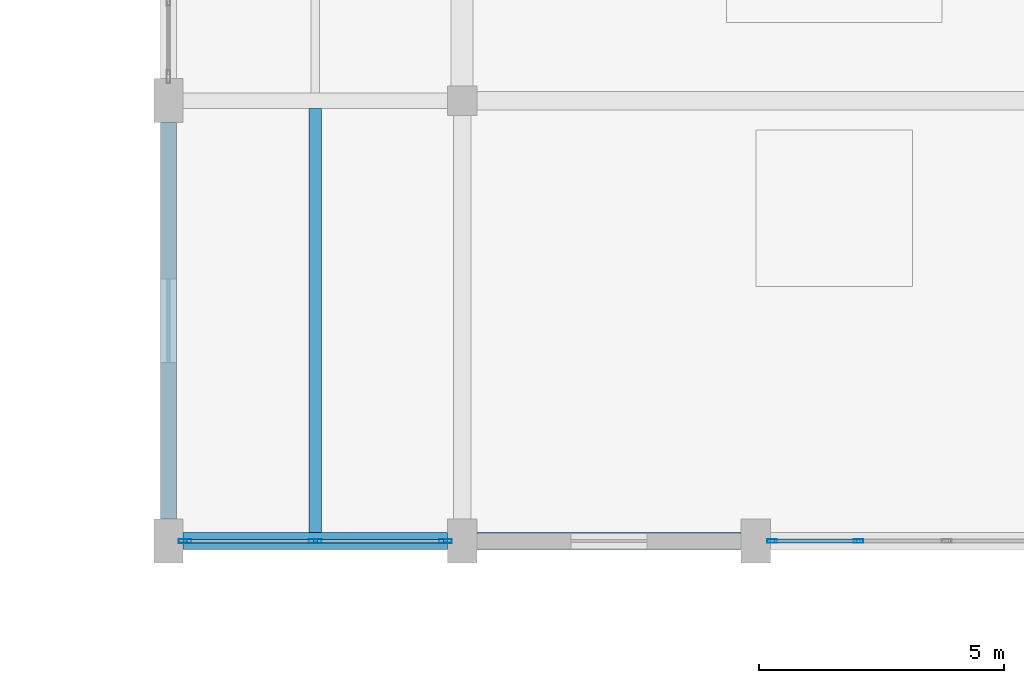
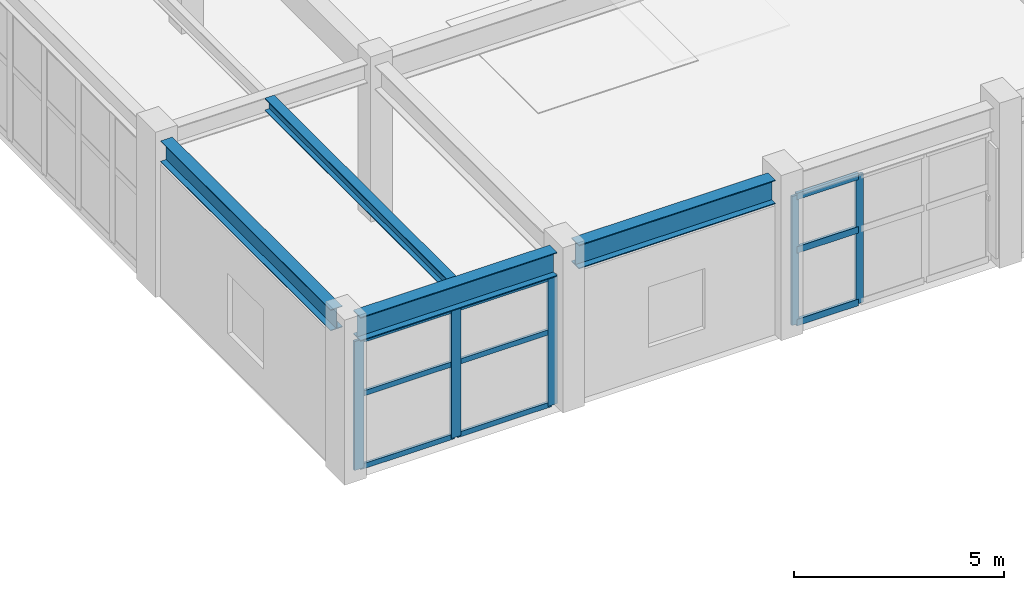
# One storey, part 7 of 85: 14 members, 4 beams, 2 elements without a shape of their own.
"""IFC4 building model written with IfcOpenShell, lengths in metres."""

from ifc_helpers import new_model, si_unit, direction, frame, origin, origin_2d, place, context, subcontext, project, spatial, hollow_rectangle, i_section, extrude, material, layer, layer_set, material_profile, profile_set, type_object, element, aggregate, save


model = new_model("IFC4")

# Units and contexts
model_context = context("Model", 3, precision=1e-05, world=origin(), true_north=direction((0.0, 1.0)))
body_context = subcontext(model_context, "Body", "Model", "MODEL_VIEW")
ifc_project = project(units=[si_unit("LENGTHUNIT", "METRE"), si_unit("AREAUNIT", "SQUARE_METRE"), si_unit("VOLUMEUNIT", "CUBIC_METRE"), si_unit("PLANEANGLEUNIT", "RADIAN"), si_unit("MASSUNIT", "GRAM", prefix="KILO")], contexts=[model_context])

# Site, building, storey
site_placement = place(None, origin())
site = spatial("IfcSite", under=ifc_project, at=site_placement, CompositionType="ELEMENT")
building_placement = place(site_placement, origin())
building = spatial("IfcBuilding", under=site, at=building_placement, Name="Vaelkrest Opera House", CompositionType="ELEMENT")
storey_placement = place(building_placement, frame((0.0, 0.0, 10.199951171875)))
storey = spatial("IfcBuildingStorey", under=building, at=storey_placement, Name="L02", CompositionType="ELEMENT", Elevation=10.199951171875)

# Curtain wall, members
ifc_material_1 = material(Name="Dark bronze anodized aluminium", Category="aluminium")
ifc_layer_1 = layer(ifc_material_1, 0.22998046875)
ifc_layer_set_1 = layer_set([ifc_layer_1], Name="Dark bronze anodized aluminium")
curtain_wall_type_1 = type_object("IfcCurtainWallType", Name="CW06", PredefinedType="NOTDEFINED", material=ifc_layer_set_1)
curtain_wall_1_placement = place(storey_placement, origin())
curtain_wall_1 = element("IfcCurtainWall", 1, at=curtain_wall_1_placement, inside=storey, type_object=curtain_wall_type_1, Name="Curtain wall CW-L02-114", PredefinedType="NOTDEFINED")
ifc_material_profile_1 = material_profile(ifc_material_1, hollow_rectangle(XDim=0.070068359375, YDim=0.199951171875, WallThickness=0.004150390625, at=origin_2d()), Name="CWM70X200")
ifc_profile_set_1 = profile_set([ifc_material_profile_1], Name="Dark bronze anodized aluminium")
member_type_1 = type_object("IfcMemberType", Name="CWM02", PredefinedType="MULLION", material=ifc_profile_set_1)
member_1_placement = place(storey_placement, frame((-61.500732421875, -16.800048828125, 0.0), z_axis=(0.0, 0.0, 1.0), x_axis=(0.0, -1.0, 0.0)))
member_1 = element("IfcMember", 2, at=member_1_placement, type_object=member_type_1, Name="CW06 mullion 3", PredefinedType="MULLION", context=body_context, shape_type="SweptSolid", body=[
    extrude(hollow_rectangle(XDim=0.070068359375, YDim=0.199951171875, WallThickness=0.004150390625, at=origin_2d()), origin(), (0.0, 0.0, 1.0), 3.7451171875),
])
member_2_placement = place(storey_placement, frame((-63.26708984375, -16.800048828125, 0.0), z_axis=(0.0, 0.0, 1.0), x_axis=(0.0, -1.0, 0.0)))
member_2 = element("IfcMember", 3, at=member_2_placement, type_object=member_type_1, Name="CW06 mullion 4", PredefinedType="MULLION", context=body_context, shape_type="SweptSolid", body=[
    extrude(hollow_rectangle(XDim=0.070068359375, YDim=0.199951171875, WallThickness=0.004150390625, at=origin_2d()), origin(), (0.0, 0.0, 1.0), 3.7451171875),
])

ifc_layer_2 = layer(ifc_material_1, 0.25)
ifc_layer_set_2 = layer_set([ifc_layer_2], Name="Dark bronze anodized aluminium")
curtain_wall_type_2 = type_object("IfcCurtainWallType", Name="CW08", PredefinedType="NOTDEFINED", material=ifc_layer_set_2)
curtain_wall_2_placement = place(storey_placement, origin())
curtain_wall_2 = element("IfcCurtainWall", 4, at=curtain_wall_2_placement, inside=storey, type_object=curtain_wall_type_2, Name="Curtain wall CW-L02-115", PredefinedType="NOTDEFINED")
ifc_material_profile_2 = material_profile(ifc_material_1, hollow_rectangle(XDim=0.080078125, YDim=0.260009765625, WallThickness=0.0048828125, at=origin_2d()), Name="CWM80X260")
ifc_profile_set_2 = profile_set([ifc_material_profile_2], Name="Dark bronze anodized aluminium")
member_type_2 = type_object("IfcMemberType", Name="CWM04", PredefinedType="MULLION", material=ifc_profile_set_2)
member_3_placement = place(storey_placement, frame((-69.93798828125, -16.800048828125, 0.0), z_axis=(0.0, 0.0, 1.0), x_axis=(0.0, -1.0, 0.0)))
member_3 = element("IfcMember", 5, at=member_3_placement, type_object=member_type_2, Name="CW08 mullion 1", PredefinedType="MULLION", context=body_context, shape_type="SweptSolid", body=[
    extrude(hollow_rectangle(XDim=0.080078125, YDim=0.260009765625, WallThickness=0.0048828125, at=origin_2d()), origin(), (0.0, 0.0, 1.0), 3.7451171875),
])
member_4_placement = place(storey_placement, frame((-72.60009765625, -16.800048828125, 0.0), z_axis=(0.0, 0.0, 1.0), x_axis=(0.0, -1.0, 0.0)))
member_4 = element("IfcMember", 6, at=member_4_placement, type_object=member_type_2, Name="CW08 mullion 2", PredefinedType="MULLION", context=body_context, shape_type="SweptSolid", body=[
    extrude(hollow_rectangle(XDim=0.080078125, YDim=0.260009765625, WallThickness=0.0048828125, at=origin_2d()), origin(), (0.0, 0.0, 1.0), 3.7451171875),
])
member_5_placement = place(storey_placement, frame((-75.261962890625, -16.800048828125, 0.0), z_axis=(0.0, 0.0, 1.0), x_axis=(0.0, -1.0, 0.0)))
member_5 = element("IfcMember", 7, at=member_5_placement, type_object=member_type_2, Name="CW08 mullion 3", PredefinedType="MULLION", context=body_context, shape_type="SweptSolid", body=[
    extrude(hollow_rectangle(XDim=0.080078125, YDim=0.260009765625, WallThickness=0.0048828125, at=origin_2d()), origin(), (0.0, 0.0, 1.0), 3.7451171875),
])
ifc_material_profile_3 = material_profile(ifc_material_1, hollow_rectangle(XDim=0.070068359375, YDim=0.14990234375, WallThickness=0.004150390625, at=origin_2d()), Name="CWT70X150")
ifc_profile_set_3 = profile_set([ifc_material_profile_3], Name="Dark bronze anodized aluminium")
member_type_3 = type_object("IfcMemberType", Name="CWT02", PredefinedType="USERDEFINED", material=ifc_profile_set_3)
member_6_placement = place(storey_placement, frame((-69.97802734375, -16.800048828125, 0.03515625), z_axis=(-1.0, 0.0, 0.0), x_axis=(0.0, -1.0, 0.0)))
member_6 = element("IfcMember", 8, at=member_6_placement, type_object=member_type_3, Name="CW08 transom 1.1", ObjectType="TRANSOM", PredefinedType="USERDEFINED", context=body_context, shape_type="SweptSolid", body=[
    extrude(hollow_rectangle(XDim=0.070068359375, YDim=0.14990234375, WallThickness=0.004150390625, at=origin_2d()), origin(), (0.0, 0.0, 1.0), 2.58203125),
])
member_7_placement = place(storey_placement, frame((-69.97802734375, -16.800048828125, 2.150146484375), z_axis=(-1.0, 0.0, 0.0), x_axis=(0.0, -1.0, 0.0)))
member_7 = element("IfcMember", 9, at=member_7_placement, type_object=member_type_3, Name="CW08 transom 1.2", ObjectType="TRANSOM", PredefinedType="USERDEFINED", context=body_context, shape_type="SweptSolid", body=[
    extrude(hollow_rectangle(XDim=0.070068359375, YDim=0.14990234375, WallThickness=0.004150390625, at=origin_2d()), origin(), (0.0, 0.0, 1.0), 2.58203125),
])
member_8_placement = place(storey_placement, frame((-69.97802734375, -16.800048828125, 3.7099609375), z_axis=(-1.0, 0.0, 0.0), x_axis=(0.0, -1.0, 0.0)))
member_8 = element("IfcMember", 10, at=member_8_placement, type_object=member_type_3, Name="CW08 transom 1.3", ObjectType="TRANSOM", PredefinedType="USERDEFINED", context=body_context, shape_type="SweptSolid", body=[
    extrude(hollow_rectangle(XDim=0.070068359375, YDim=0.14990234375, WallThickness=0.004150390625, at=origin_2d()), origin(), (0.0, 0.0, 1.0), 2.58203125),
])
member_9_placement = place(storey_placement, frame((-72.639892578125, -16.800048828125, 0.03515625), z_axis=(-1.0, 0.0, 0.0), x_axis=(0.0, -1.0, 0.0)))
member_9 = element("IfcMember", 11, at=member_9_placement, type_object=member_type_3, Name="CW08 transom 2.1", ObjectType="TRANSOM", PredefinedType="USERDEFINED", context=body_context, shape_type="SweptSolid", body=[
    extrude(hollow_rectangle(XDim=0.070068359375, YDim=0.14990234375, WallThickness=0.004150390625, at=origin_2d()), origin(), (0.0, 0.0, 1.0), 2.58203125),
])
member_10_placement = place(storey_placement, frame((-72.639892578125, -16.800048828125, 2.150146484375), z_axis=(-1.0, 0.0, 0.0), x_axis=(0.0, -1.0, 0.0)))
member_10 = element("IfcMember", 12, at=member_10_placement, type_object=member_type_3, Name="CW08 transom 2.2", ObjectType="TRANSOM", PredefinedType="USERDEFINED", context=body_context, shape_type="SweptSolid", body=[
    extrude(hollow_rectangle(XDim=0.070068359375, YDim=0.14990234375, WallThickness=0.004150390625, at=origin_2d()), origin(), (0.0, 0.0, 1.0), 2.58203125),
])
member_11_placement = place(storey_placement, frame((-72.639892578125, -16.800048828125, 3.7099609375), z_axis=(-1.0, 0.0, 0.0), x_axis=(0.0, -1.0, 0.0)))
member_11 = element("IfcMember", 13, at=member_11_placement, type_object=member_type_3, Name="CW08 transom 2.3", ObjectType="TRANSOM", PredefinedType="USERDEFINED", context=body_context, shape_type="SweptSolid", body=[
    extrude(hollow_rectangle(XDim=0.070068359375, YDim=0.14990234375, WallThickness=0.004150390625, at=origin_2d()), origin(), (0.0, 0.0, 1.0), 2.58203125),
])
aggregate(curtain_wall_2, [member_3, member_4, member_5, member_6, member_7, member_8, member_9, member_10, member_11])

# Member
ifc_material_profile_4 = material_profile(ifc_material_1, hollow_rectangle(XDim=0.080078125, YDim=0.18994140625, WallThickness=0.0048828125, at=origin_2d()), Name="CWT80X190")
ifc_profile_set_4 = profile_set([ifc_material_profile_4], Name="Dark bronze anodized aluminium")
member_type_4 = type_object("IfcMemberType", Name="CWT04", PredefinedType="USERDEFINED", material=ifc_profile_set_4)
member_12_placement = place(storey_placement, frame((-61.53564453125, -16.800048828125, 0.0400390625), z_axis=(-1.0, 0.0, 0.0), x_axis=(0.0, -1.0, 0.0)))
member_12 = element("IfcMember", 14, at=member_12_placement, type_object=member_type_4, Name="CW06 transom 3.1", ObjectType="TRANSOM", PredefinedType="USERDEFINED", context=body_context, shape_type="SweptSolid", body=[
    extrude(hollow_rectangle(XDim=0.080078125, YDim=0.18994140625, WallThickness=0.0048828125, at=origin_2d()), origin(), (0.0, 0.0, 1.0), 1.6962890625),
])

member_13_placement = place(storey_placement, frame((-61.53564453125, -16.800048828125, 2.150146484375), z_axis=(-1.0, 0.0, 0.0), x_axis=(0.0, -1.0, 0.0)))
member_13 = element("IfcMember", 15, at=member_13_placement, type_object=member_type_4, Name="CW06 transom 3.2", ObjectType="TRANSOM", PredefinedType="USERDEFINED", context=body_context, shape_type="SweptSolid", body=[
    extrude(hollow_rectangle(XDim=0.080078125, YDim=0.18994140625, WallThickness=0.0048828125, at=origin_2d()), origin(), (0.0, 0.0, 1.0), 1.6962890625),
])

member_14_placement = place(storey_placement, frame((-61.53564453125, -16.800048828125, 3.705078125), z_axis=(-1.0, 0.0, 0.0), x_axis=(0.0, -1.0, 0.0)))
member_14 = element("IfcMember", 16, at=member_14_placement, type_object=member_type_4, Name="CW06 transom 3.3", ObjectType="TRANSOM", PredefinedType="USERDEFINED", context=body_context, shape_type="SweptSolid", body=[
    extrude(hollow_rectangle(XDim=0.080078125, YDim=0.18994140625, WallThickness=0.0048828125, at=origin_2d()), origin(), (0.0, 0.0, 1.0), 1.6962890625),
])

aggregate(curtain_wall_1, [member_1, member_2, member_12, member_13, member_14])

# Beams
ifc_material_2 = material(Name="Steel A992 Gr50", Category="steel")
ifc_material_profile_5 = material_profile(ifc_material_2, i_section(OverallWidth=0.257080078125, OverallDepth=0.363037109375, WebThickness=0.012939453125, FlangeThickness=0.021728515625, at=origin_2d()), Name="W14X82")
ifc_profile_set_5 = profile_set([ifc_material_profile_5], Name="Steel A992 Gr50")
beam_type_1 = type_object("IfcBeamType", Name="J06", PredefinedType="JOIST", material=ifc_profile_set_5)
beam_1_placement = place(storey_placement, frame((-72.60009765625, -16.62255859375, 4.323486328125), z_axis=(0.0, 1.0, 0.0), x_axis=(-1.0, 0.0, 0.0)))
element("IfcBeam", 17, at=beam_1_placement, inside=storey, type_object=beam_type_1, Name="Floor joist JST-V3-L02-1706", PredefinedType="JOIST", context=body_context, shape_type="SweptSolid", body=[
    extrude(i_section(OverallWidth=0.257080078125, OverallDepth=0.363037109375, WebThickness=0.012939453125, FlangeThickness=0.021728515625, at=origin_2d()), origin(), (0.0, 0.0, 1.0), 8.6650390625),
])
ifc_material_profile_6 = material_profile(ifc_material_2, i_section(OverallWidth=0.323974609375, OverallDepth=0.611083984375, WebThickness=0.0126953125, FlangeThickness=0.01904296875, at=origin_2d()), Name="W24X104")
ifc_profile_set_6 = profile_set([ifc_material_profile_6], Name="Steel A992 Gr50")
beam_type_2 = type_object("IfcBeamType", Name="SP01", PredefinedType="SPANDREL", material=ifc_profile_set_6)
beam_2_placement = place(storey_placement, frame((-75.60009765625, -16.35009765625, 4.199462890625), z_axis=(0.0, 1.0, 0.0), x_axis=(-1.0, 0.0, 0.0)))
element("IfcBeam", 18, at=beam_2_placement, inside=storey, type_object=beam_type_2, Name="Beam BM-V3-L02-1664", PredefinedType="SPANDREL", context=body_context, shape_type="SweptSolid", body=[
    extrude(i_section(OverallWidth=0.323974609375, OverallDepth=0.611083984375, WebThickness=0.0126953125, FlangeThickness=0.01904296875, at=origin_2d()), origin(), (0.0, 0.0, 1.0), 8.10009765625),
])
ifc_material_profile_7 = material_profile(ifc_material_2, i_section(OverallWidth=0.35498046875, OverallDepth=0.695068359375, WebThickness=0.015380859375, FlangeThickness=0.02490234375, at=origin_2d()), Name="W27X146")
ifc_profile_set_7 = profile_set([ifc_material_profile_7], Name="Steel A992 Gr50")
beam_type_3 = type_object("IfcBeamType", Name="SP02", PredefinedType="SPANDREL", material=ifc_profile_set_7)
for number, where, z_axis, x_axis, name in (
    (19, (-75.300048828125, -16.800048828125, 4.157470703125), (1.0, 0.0, 0.0), (0.0, 1.0, 0.0), "Beam BM-V3-L02-1621"),
    (20, (-69.300048828125, -16.800048828125, 4.157470703125), (1.0, 0.0, 0.0), (0.0, 1.0, 0.0), "Beam BM-V3-L02-1622"),
):
    element("IfcBeam", number, at=place(storey_placement, frame(where, z_axis=z_axis, x_axis=x_axis)), inside=storey, type_object=beam_type_3, Name=name, PredefinedType="SPANDREL", context=body_context, shape_type="SweptSolid", body=[
        extrude(i_section(OverallWidth=0.35498046875, OverallDepth=0.695068359375, WebThickness=0.015380859375, FlangeThickness=0.02490234375, at=origin_2d()), origin(), (0.0, 0.0, 1.0), 5.400146484375),
    ])

save(model, "model.ifc")
